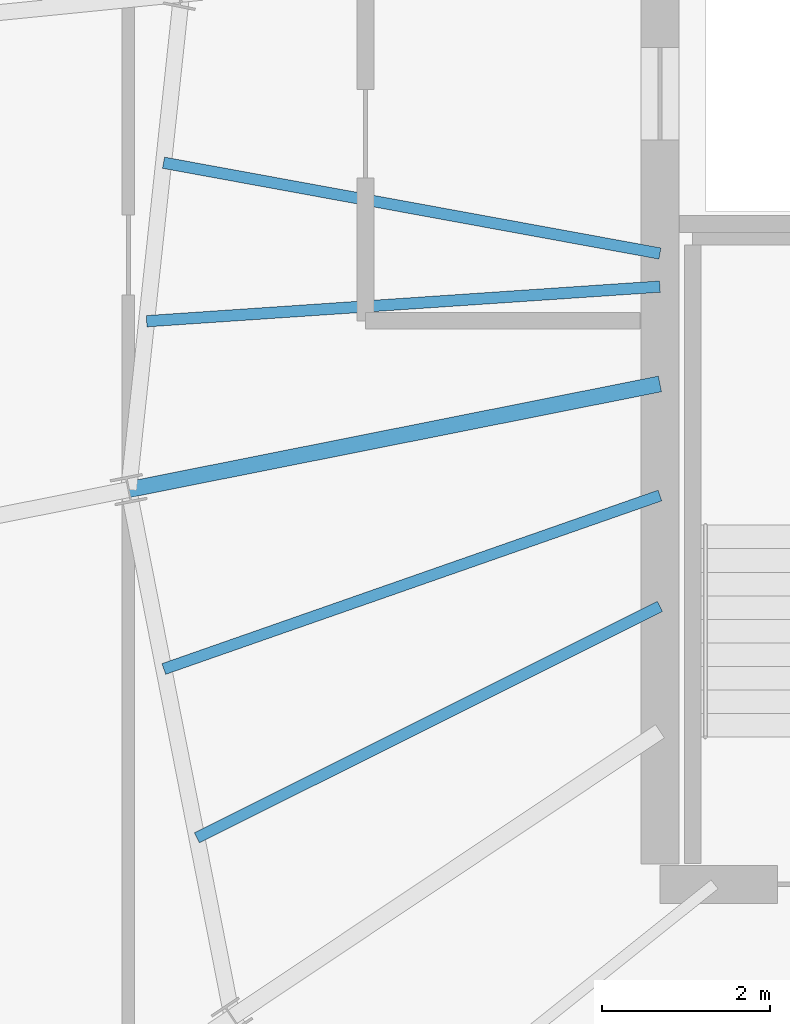
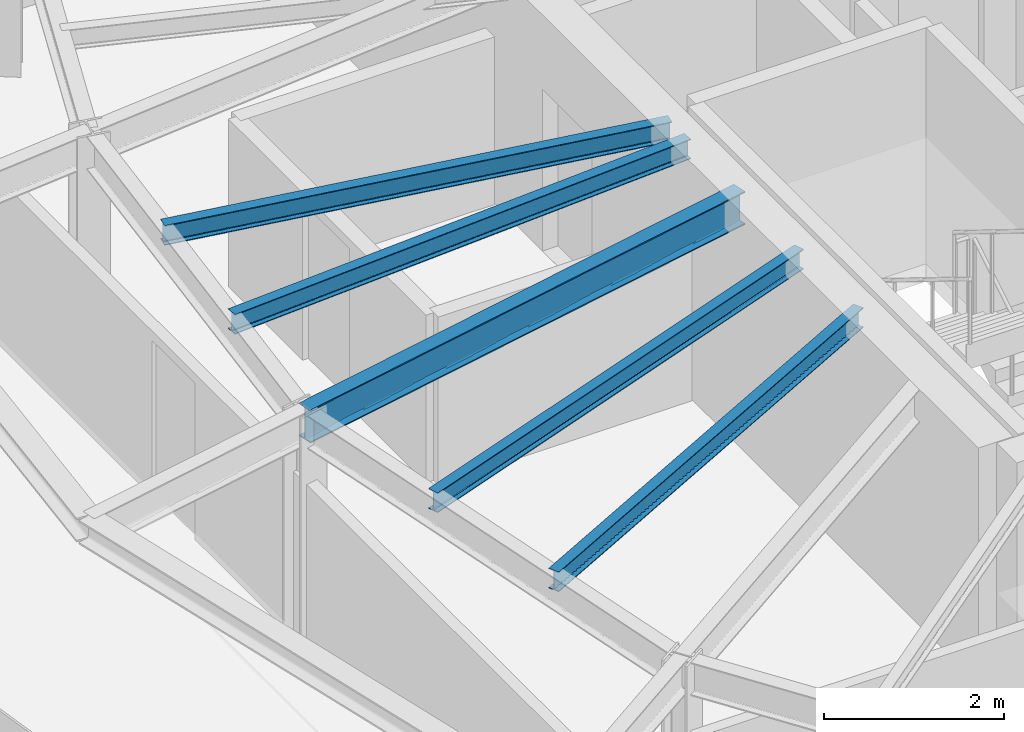
# One storey, part 10 of 34: 5 beams.
"""IFC4 building model written with IfcOpenShell, lengths in metres."""

from ifc_helpers import new_model, si_unit, direction, frame, origin, origin_2d, place, context, subcontext, project, spatial, i_section, extrude, source, transform, mapped, material, material_profile, profile_set, type_object, element, save


model = new_model("IFC4")

# Units and contexts
model_context = context("Model", 3, precision=1e-05, world=origin(), true_north=direction((0.0, 1.0)))
body_context = subcontext(model_context, "Body", "Model", "MODEL_VIEW")
ifc_project = project(units=[si_unit("LENGTHUNIT", "METRE"), si_unit("AREAUNIT", "SQUARE_METRE"), si_unit("VOLUMEUNIT", "CUBIC_METRE"), si_unit("PLANEANGLEUNIT", "RADIAN"), si_unit("MASSUNIT", "GRAM", prefix="KILO"), si_unit("THERMODYNAMICTEMPERATUREUNIT", "KELVIN")], contexts=[model_context])

# Site, building, storey
site_placement = place(None, origin())
site = spatial("IfcSite", under=ifc_project, at=site_placement, CompositionType="ELEMENT")
building_placement = place(site_placement, origin())
building = spatial("IfcBuilding", under=site, at=building_placement, Name="Kethvar Cultural Tower", CompositionType="ELEMENT")
storey_placement = place(building_placement, frame((0.0, 0.0, 231.85009765625)))
storey = spatial("IfcBuildingStorey", under=building, at=storey_placement, Name="L60", CompositionType="ELEMENT", Elevation=231.85009765625)

# Beams
ifc_material = material(Name="Steel S355J2", Category="steel")
ifc_material_profile_1 = material_profile(ifc_material, i_section(OverallWidth=0.18994140625, OverallDepth=0.449951171875, WebThickness=0.009521484375, FlangeThickness=0.0146484375, FilletRadius=0.02099609375, at=origin_2d()), Name="Steel S355J2 — IPE450")
ifc_profile_set_1 = profile_set([ifc_material_profile_1], Name="Steel S355J2 — IPE450")
beam_type_1 = type_object("IfcBeamType", Name="BM-IPE450", PredefinedType="BEAM", material=ifc_profile_set_1)
shared_shape_1 = source(origin(), body_context, "Body", "SweptSolid", [
    extrude(i_section(OverallWidth=0.18994140625, OverallDepth=0.449951171875, WebThickness=0.009521484375, FlangeThickness=0.0146484375, FilletRadius=0.02099609375, at=origin_2d()), origin(), (0.0, 0.0, 1.0), 6.440673828125),
])
beam_1_placement = place(storey_placement, frame((38.0, 26.049560546875, 2.98291015625), z_axis=(-0.980782804096, -0.195102770839, 0.0), x_axis=(0.195102770839, -0.980782804096, 0.0)))
element("IfcBeam", 1, at=beam_1_placement, inside=storey, type_object=beam_type_1, Name="L60 Primary Radial Beam RB-09", PredefinedType="BEAM", context=body_context, shape_type="MappedRepresentation", body=[
    mapped(shared_shape_1, transform((0.0, 0.0, 0.0), scale=1.0)),
])
ifc_material_profile_2 = material_profile(ifc_material, i_section(OverallWidth=0.135009765625, OverallDepth=0.27001953125, WebThickness=0.006591796875, FlangeThickness=0.01025390625, FilletRadius=0.014892578125, at=origin_2d()), Name="Steel S355J2 — IPE270")
ifc_profile_set_2 = profile_set([ifc_material_profile_2], Name="Steel S355J2 — IPE270")
beam_type_2 = type_object("IfcBeamType", Name="BM-J270", PredefinedType="JOIST", material=ifc_profile_set_2)
shared_shape_2 = source(origin(), body_context, "Body", "SweptSolid", [
    extrude(i_section(OverallWidth=0.135009765625, OverallDepth=0.27001953125, WebThickness=0.006591796875, FlangeThickness=0.01025390625, FilletRadius=0.014892578125, at=origin_2d()), origin(), (0.0, 0.0, 1.0), 5.99951171875),
])
beam_2_placement = place(storey_placement, frame((38.0, 27.60009765625, 3.072998046875), z_axis=(-0.983676616141, 0.179945310742, 0.0), x_axis=(-0.179945310742, -0.983676616141, 0.0)))
element("IfcBeam", 2, at=beam_2_placement, inside=storey, type_object=beam_type_2, Name="L60 Composite Floor Joist J-08A", PredefinedType="JOIST", context=body_context, shape_type="MappedRepresentation", body=[
    mapped(shared_shape_2, transform((0.0, 0.0, 0.0), scale=1.0)),
])
shared_shape_3 = source(origin(), body_context, "Body", "SweptSolid", [
    extrude(i_section(OverallWidth=0.135009765625, OverallDepth=0.27001953125, WebThickness=0.006591796875, FlangeThickness=0.01025390625, FilletRadius=0.014892578125, at=origin_2d()), origin(), (0.0, 0.0, 1.0), 6.116943359375),
])
beam_3_placement = place(storey_placement, frame((38.0, 27.206787109375, 3.072998046875), z_axis=(-0.997733289627, -0.067292516454, 0.0), x_axis=(0.067292516454, -0.997733289627, 0.0)))
element("IfcBeam", 3, at=beam_3_placement, inside=storey, type_object=beam_type_2, Name="L60 Composite Floor Joist J-08B", PredefinedType="JOIST", context=body_context, shape_type="MappedRepresentation", body=[
    mapped(shared_shape_3, transform((0.0, 0.0, 0.0), scale=1.0)),
])
shared_shape_4 = source(origin(), body_context, "Body", "SweptSolid", [
    extrude(i_section(OverallWidth=0.135009765625, OverallDepth=0.27001953125, WebThickness=0.006591796875, FlangeThickness=0.01025390625, FilletRadius=0.014892578125, at=origin_2d()), origin(), (0.0, 0.0, 1.0), 6.248779296875),
])
beam_4_placement = place(storey_placement, frame((38.0, 24.722900390625, 3.072998046875), z_axis=(-0.943960031743, -0.330059780148, 0.0), x_axis=(0.330059780148, -0.943960031743, 0.0)))
element("IfcBeam", 4, at=beam_4_placement, inside=storey, type_object=beam_type_2, Name="L60 Composite Floor Joist J-09A", PredefinedType="JOIST", context=body_context, shape_type="MappedRepresentation", body=[
    mapped(shared_shape_4, transform((0.0, 0.0, 0.0), scale=1.0)),
])
shared_shape_5 = source(origin(), body_context, "Body", "SweptSolid", [
    extrude(i_section(OverallWidth=0.135009765625, OverallDepth=0.27001953125, WebThickness=0.006591796875, FlangeThickness=0.01025390625, FilletRadius=0.014892578125, at=origin_2d()), origin(), (0.0, 0.0, 1.0), 6.154052734375),
])
beam_5_placement = place(storey_placement, frame((38.0, 23.40380859375, 3.072998046875), z_axis=(-0.89458581954, -0.446896197655, 0.0), x_axis=(0.446896197655, -0.89458581954, 0.0)))
element("IfcBeam", 5, at=beam_5_placement, inside=storey, type_object=beam_type_2, Name="L60 Composite Floor Joist J-09B", PredefinedType="JOIST", context=body_context, shape_type="MappedRepresentation", body=[
    mapped(shared_shape_5, transform((0.0, 0.0, 0.0), scale=1.0)),
])

save(model, "model.ifc")
